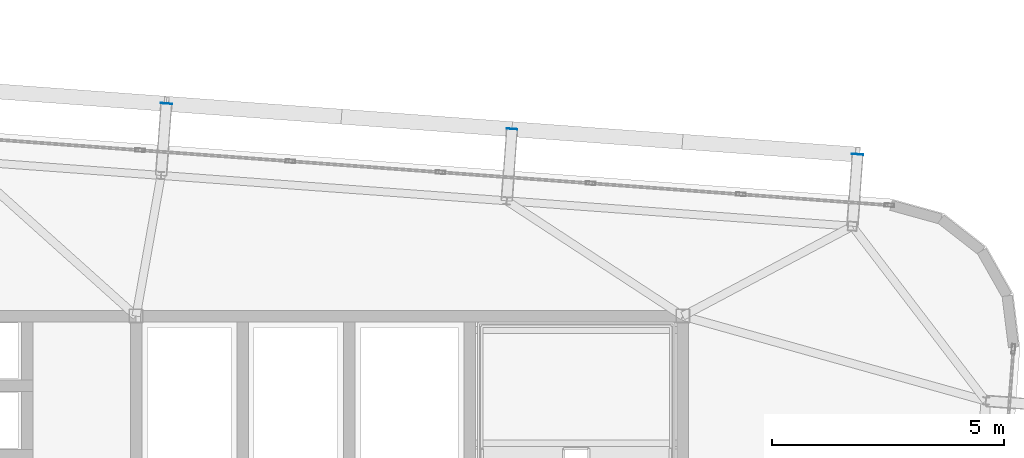
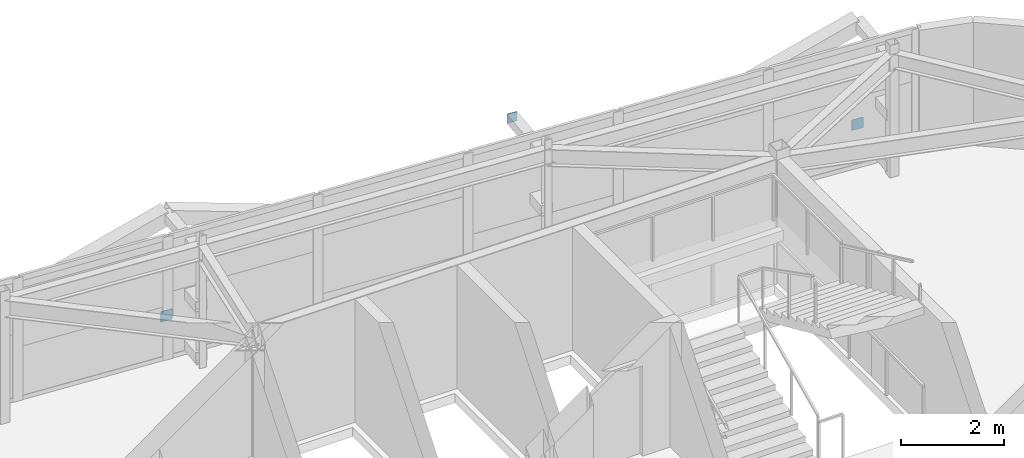
# One storey, part 37 of 42: 3 plates.
"""IFC4 building model written with IfcOpenShell, lengths in metres."""

import ifcopenshell
import ifcopenshell.guid

model = None  # the IFC model being written
_history = None  # IfcOwnerHistory: only IFC2X3 demands one
_inside = {}  # id of a spatial element -> (the spatial element, [elements in it])
_under = {}  # id of a project, library or spatial element -> (it, [spatial elements below it])
_declared = {}  # id of a project -> (the project, [libraries it declares])
_typed = {}  # id of a type object -> (the type object, [elements of that type])
_made_of = {}  # id of a material, layer set ... -> (it, [elements and type objects made of it])


def new_model(schema):
    """Start an empty IFC model of exactly this schema.

    Asked for "IFC4X3", IfcOpenShell would pick the latest addendum, in which some entities
    have other attributes; the version numbers below select the first issue.
    IFC2X3 requires an IfcOwnerHistory on every rooted entity: one is made here for all.
    """
    global model, _history
    if schema == "IFC4X3":
        model = ifcopenshell.file(schema_version=(4, 3, 0, 0))
    else:
        model = ifcopenshell.file(schema=schema)
    _inside.clear()
    _under.clear()
    _declared.clear()
    _typed.clear()
    _made_of.clear()
    _history = None
    if model.schema == "IFC2X3":
        org = make("IfcOrganization", Name="unknown")
        user = make(
            "IfcPersonAndOrganization",
            ThePerson=make("IfcPerson", FamilyName="unknown"),
            TheOrganization=org,
        )
        app = make(
            "IfcApplication",
            ApplicationDeveloper=org,
            Version="unknown",
            ApplicationFullName="unknown",
            ApplicationIdentifier="unknown",
        )
        _history = make(
            "IfcOwnerHistory",
            OwningUser=user,
            OwningApplication=app,
            ChangeAction="ADDED",
            CreationDate=0,
        )
    return model


def make(cls, **values):
    """One entity of the class cls with the attributes given. An attribute that is None is left unset."""
    return model.create_entity(
        cls, **{name: value for name, value in values.items() if value is not None}
    )


def rooted(cls, **values):
    """An entity with a GlobalId (a new one), such as an element, a storey or a relation."""
    return make(cls, GlobalId=ifcopenshell.guid.new(), OwnerHistory=_history, **values)


def si_unit(unit_type, name, prefix=None):
    """IfcSIUnit, for example si_unit("LENGTHUNIT", "METRE", prefix="MILLI")."""
    return make("IfcSIUnit", UnitType=unit_type, Prefix=prefix, Name=name)


def assignment(units):
    """IfcUnitAssignment: the units of a project."""
    return None if units is None else make("IfcUnitAssignment", Units=units)


def point(xyz):
    """IfcCartesianPoint."""
    return None if xyz is None else make("IfcCartesianPoint", Coordinates=xyz)


def direction(xyz):
    """IfcDirection."""
    return None if xyz is None else make("IfcDirection", DirectionRatios=xyz)


def frame(location, z_axis=None, x_axis=None):
    """IfcAxis2Placement3D, a coordinate frame: its origin and axes. An axis left out is left unset."""
    return make(
        "IfcAxis2Placement3D",
        Location=point(location),
        Axis=direction(z_axis),
        RefDirection=direction(x_axis),
    )


def frame_2d(location, x_axis=None):
    """IfcAxis2Placement2D, a coordinate frame in the plane: its origin and x axis."""
    return make(
        "IfcAxis2Placement2D", Location=point(location), RefDirection=direction(x_axis)
    )


def origin():
    """The frame at (0, 0, 0) with its axes left unset."""
    return frame((0.0, 0.0, 0.0))


def origin_2d():
    """The frame at (0, 0) in the plane with its x axis left unset."""
    return frame_2d((0.0, 0.0))


def place(relative_to, where):
    """IfcLocalPlacement: puts the frame where relative to a parent placement (None: the world)."""
    return make(
        "IfcLocalPlacement", PlacementRelTo=relative_to, RelativePlacement=where
    )


def context(
    kind, dimensions, precision=None, world=None, true_north=None, identifier=None
):
    """IfcGeometricRepresentationContext, for example the 3D "Model" context."""
    return make(
        "IfcGeometricRepresentationContext",
        ContextIdentifier=identifier,
        ContextType=kind,
        CoordinateSpaceDimension=dimensions,
        Precision=precision,
        WorldCoordinateSystem=world,
        TrueNorth=true_north,
    )


def subcontext(parent, identifier, kind, view, scale=None):
    """IfcGeometricRepresentationSubContext, for example "Body" below "Model"."""
    return make(
        "IfcGeometricRepresentationSubContext",
        ContextIdentifier=identifier,
        ContextType=kind,
        ParentContext=parent,
        TargetScale=scale,
        TargetView=view,
    )


def project(units=None, contexts=None):
    """IfcProject with its units and contexts."""
    return rooted(
        "IfcProject",
        Name="project",
        RepresentationContexts=contexts,
        UnitsInContext=assignment(units),
    )


def spatial(cls, under=None, at=None, **own):
    """A site, building, storey or space (cls), placed at a placement, below another one or the project."""
    s = rooted(cls, ObjectPlacement=at, **own)
    if under is not None:
        _under.setdefault(under.id(), (under, []))[1].append(s)
    return s


def profile(cls, at=None, kind="AREA", **sizes):
    """A parametric profile (cls). Its sizes go by their IFC names, for example OverallWidth=200.0."""
    return make(cls, ProfileType=kind, Position=at, **sizes)


def rectangle(**sizes):
    """IfcRectangleProfileDef."""
    return profile("IfcRectangleProfileDef", **sizes)


def extrude(swept, where, along, depth):
    """IfcExtrudedAreaSolid: the profile swept, set in the frame where, extruded along a direction by depth."""
    return make(
        "IfcExtrudedAreaSolid",
        SweptArea=swept,
        Position=where,
        ExtrudedDirection=direction(along),
        Depth=depth,
    )


def shape(context_of_items, identifier, shape_type, items):
    """IfcShapeRepresentation: the items that make up one representation, for example the "Body"."""
    return make(
        "IfcShapeRepresentation",
        ContextOfItems=context_of_items,
        RepresentationIdentifier=identifier,
        RepresentationType=shape_type,
        Items=items,
    )


def source(mapping_origin, context_of_items, identifier, shape_type, items):
    """IfcRepresentationMap: a shape defined once, which mapped items show again and again."""
    return make(
        "IfcRepresentationMap",
        MappingOrigin=mapping_origin,
        MappedRepresentation=shape(context_of_items, identifier, shape_type, items),
    )


def transform(
    local_origin,
    x_axis=None,
    y_axis=None,
    z_axis=None,
    scale=None,
    scale2=None,
    scale3=None,
    uniform=True,
):
    """IfcCartesianTransformationOperator3D, or its non-uniform kind. x_axis, y_axis, z_axis: its Axis1, 2, 3."""
    if uniform:
        return make(
            "IfcCartesianTransformationOperator3D",
            Axis1=direction(x_axis),
            Axis2=direction(y_axis),
            LocalOrigin=point(local_origin),
            Scale=scale,
            Axis3=direction(z_axis),
        )
    return make(
        "IfcCartesianTransformationOperator3DnonUniform",
        Axis1=direction(x_axis),
        Axis2=direction(y_axis),
        LocalOrigin=point(local_origin),
        Scale=scale,
        Axis3=direction(z_axis),
        Scale2=scale2,
        Scale3=scale3,
    )


def mapped(mapping_source, mapping_target):
    """IfcMappedItem: shows the shape of a source again, moved by a transform."""
    return make(
        "IfcMappedItem", MappingSource=mapping_source, MappingTarget=mapping_target
    )


def material(Name=None, Category=None):
    """IfcMaterial."""
    return make("IfcMaterial", Name=Name, Category=Category)


def layer(
    of_material, thickness, ventilated=None, Name=None, Category=None, Priority=None
):
    """IfcMaterialLayer: one layer of a wall or slab, of a material (None: an air gap)."""
    return make(
        "IfcMaterialLayer",
        Material=of_material,
        LayerThickness=thickness,
        IsVentilated=ventilated,
        Name=Name,
        Category=Category,
        Priority=Priority,
    )


def layer_set(layers, Name=None):
    """IfcMaterialLayerSet."""
    return make("IfcMaterialLayerSet", MaterialLayers=layers, LayerSetName=Name)


def made_of(thing, what):
    """Note that an element or type object is made of a material, layer set ...; save() writes the relation."""
    if what is not None:
        _made_of.setdefault(what.id(), (what, []))[1].append(thing)
    return thing


def type_object(cls, material=None, **own):
    """A type object (cls), such as IfcWallType, which elements share."""
    return made_of(rooted(cls, **own), material)


def element(
    cls,
    number,
    at=None,
    inside=None,
    cuts=None,
    type_object=None,
    material=None,
    context=None,
    identifier="Body",
    shape_type=None,
    held_by="IfcProductDefinitionShape",
    body=None,
    shapes=None,
    **own,
):
    """One element of the class cls, such as IfcWall. Its Tag is "e" and its number.

    at: its placement. inside: the storey or other place that contains it. cuts: it is an
    opening in that element (IfcRelVoidsElement). A single representation is given by context,
    identifier, shape_type and body (its items); several are given by shapes. held_by: the class
    of the entity that holds the representations. save() writes the other relations.
    """
    e = rooted(cls, Tag="e%d" % number, ObjectPlacement=at, **own)
    if body is not None:
        shapes = [shape(context, identifier, shape_type, body)]
    if shapes is not None:
        e.Representation = make(held_by, Representations=shapes)
    if inside is not None:
        _inside.setdefault(inside.id(), (inside, []))[1].append(e)
    if cuts is not None:
        rooted(
            "IfcRelVoidsElement", RelatingBuildingElement=cuts, RelatedOpeningElement=e
        )
    if type_object is not None:
        _typed.setdefault(type_object.id(), (type_object, []))[1].append(e)
    return made_of(e, material)


def aggregate(whole, parts):
    """IfcRelAggregates: a whole, such as a stair, and the parts it consists of."""
    return rooted("IfcRelAggregates", RelatingObject=whole, RelatedObjects=parts)


def save(model, path):
    """Write the relations noted so far, then the file.

    IfcRelAggregates (storeys below a building ...), IfcRelContainedInSpatialStructure (elements
    in a storey), IfcRelDefinesByType, IfcRelAssociatesMaterial and IfcRelDeclares: one each for
    every whole, place, type object, material and project.
    """
    for whole, parts in _under.values():
        aggregate(whole, parts)
    for where, things in _inside.values():
        rooted(
            "IfcRelContainedInSpatialStructure",
            RelatedElements=things,
            RelatingStructure=where,
        )
    for kind, things in _typed.values():
        rooted("IfcRelDefinesByType", RelatedObjects=things, RelatingType=kind)
    for what, things in _made_of.values():
        rooted("IfcRelAssociatesMaterial", RelatedObjects=things, RelatingMaterial=what)
    for by, libraries in _declared.values():
        rooted("IfcRelDeclares", RelatingContext=by, RelatedDefinitions=libraries)
    model.write(path)


model = new_model("IFC4")

# Units and contexts
model_context = context("Model", 3, precision=1e-05, world=origin(), true_north=direction((0.0, 1.0)))
body_context = subcontext(model_context, "Body", "Model", "MODEL_VIEW")
ifc_project = project(units=[si_unit("LENGTHUNIT", "METRE"), si_unit("AREAUNIT", "SQUARE_METRE"), si_unit("VOLUMEUNIT", "CUBIC_METRE"), si_unit("PLANEANGLEUNIT", "RADIAN"), si_unit("MASSUNIT", "GRAM", prefix="KILO")], contexts=[model_context])

# Site, building, storey
site_placement = place(None, origin())
site = spatial("IfcSite", under=ifc_project, at=site_placement, CompositionType="ELEMENT")
building_placement = place(site_placement, origin())
building = spatial("IfcBuilding", under=site, at=building_placement, Name="Taldren Reach Tower", CompositionType="ELEMENT")
storey_placement = place(building_placement, frame((0.0, 0.0, 217.699951171875)))
storey = spatial("IfcBuildingStorey", under=building, at=storey_placement, Name="L66", CompositionType="ELEMENT", Elevation=217.699951171875)

# Plates
ifc_material_1 = material(Name="Steel Gr 350 (C350L0)", Category="steel")
ifc_layer_1 = layer(ifc_material_1, 0.011962890625)
ifc_layer_set_1 = layer_set([ifc_layer_1], Name="Steel Gr 350 (C350L0)")
plate_type_1 = type_object("IfcPlateType", Name="PL-CAP-250", PredefinedType="SHEET", material=ifc_layer_set_1)
shared_shape_1 = source(origin(), body_context, "Body", "SweptSolid", [
    extrude(rectangle(XDim=0.25, YDim=0.011962890625, at=origin_2d()), origin(), (0.0, 0.0, 1.0), 0.25),
])
for number, where, z_axis, x_axis, name in (
    (1, (39.853515625, 36.587158203125, 0.094970703125), (0.0, 0.0, 1.0), (0.997314477224, -0.073238197128, 0.0), "Tie strut end cap plate B5-N4 L66"),
    (2, (54.773193359375, 35.49169921875, 0.094970703125), (0.0, 0.0, 1.0), (0.997314477224, -0.073238197128, 0.0), "Tie strut end cap plate B5-N6 L66"),
):
    element("IfcPlate", number, at=place(storey_placement, frame(where, z_axis=z_axis, x_axis=x_axis)), inside=storey, type_object=plate_type_1, Name=name, PredefinedType="SHEET", context=body_context, shape_type="MappedRepresentation", body=[
        mapped(shared_shape_1, transform((0.0, 0.0, 0.0), scale=1.0)),
    ])
ifc_material_2 = material(Name="Steel Gr 450 (C450L0)", Category="steel")
ifc_layer_2 = layer(ifc_material_2, 0.011962890625)
ifc_layer_set_2 = layer_set([ifc_layer_2], Name="Steel Gr 450 (C450L0)")
plate_type_2 = type_object("IfcPlateType", Name="PL-CAP-220", PredefinedType="SHEET", material=ifc_layer_set_2)
shared_shape_2 = source(origin(), body_context, "Body", "SweptSolid", [
    extrude(rectangle(XDim=0.219970703125, YDim=0.011962890625, at=origin_2d()), origin(), (0.0, 0.0, 1.0), 0.219970703125),
])
plate_placement = place(storey_placement, frame((47.3134765625, 36.039306640625, 2.5400390625), z_axis=(0.0, 0.0, 1.0), x_axis=(0.997314477224, -0.073238197128, 0.0)))
element("IfcPlate", 3, at=plate_placement, inside=storey, type_object=plate_type_2, Name="Tie strut end cap plate B5-N5 L66", PredefinedType="SHEET", context=body_context, shape_type="MappedRepresentation", body=[
    mapped(shared_shape_2, transform((0.0, 0.0, 0.0), scale=1.0)),
])

save(model, "model.ifc")
